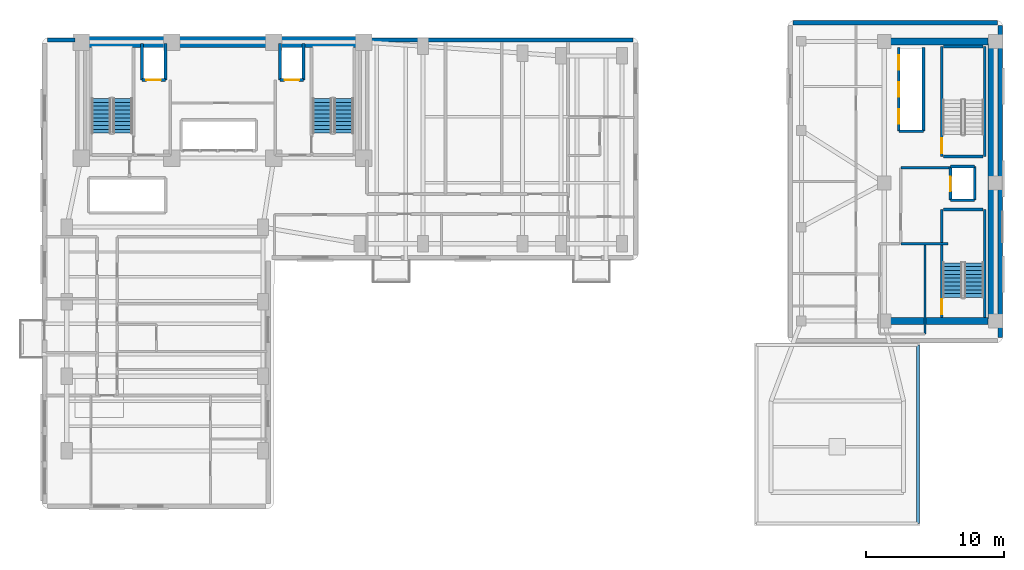
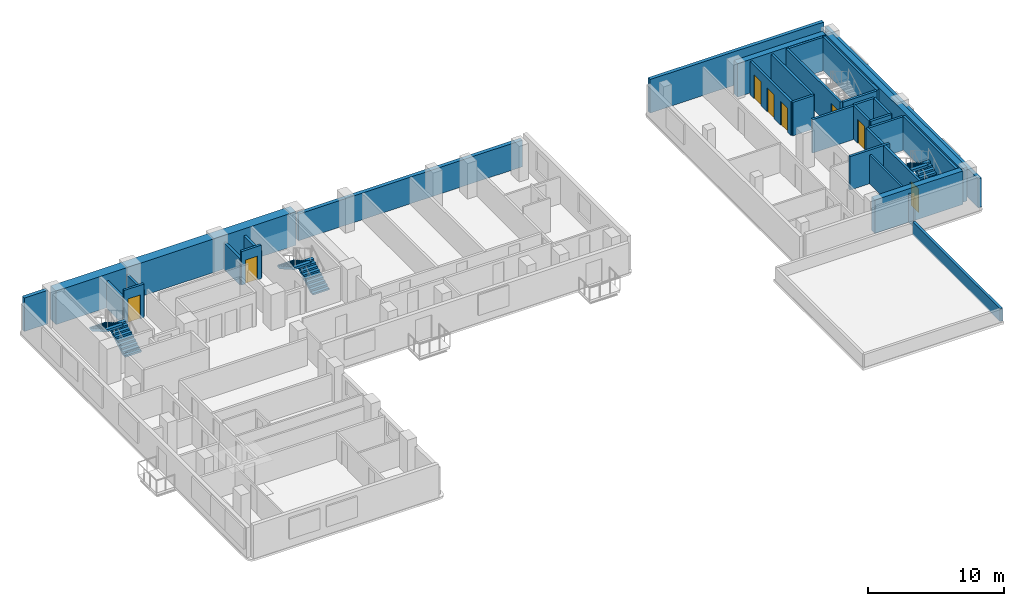
# One storey, part 6 of 11: 32 walls, 8 doors, 6 stair flights, 8 openings, 3 elements without a shape of their own.
"""IFC4 building model written with IfcOpenShell, lengths in metres."""

from ifc_helpers import new_model, si_unit, direction, frame, frame_2d, origin, place, context, subcontext, project, spatial, polyline, rectangle, outline, extrude, material, layer, layer_set, type_object, element, fill, aggregate, save


model = new_model("IFC4")

# Units and contexts
model_context = context("Model", 3, precision=1e-05, world=origin(), true_north=direction((0.0, 1.0)))
body_context = subcontext(model_context, "Body", "Model", "MODEL_VIEW")
ifc_project = project(units=[si_unit("LENGTHUNIT", "METRE"), si_unit("AREAUNIT", "SQUARE_METRE"), si_unit("VOLUMEUNIT", "CUBIC_METRE"), si_unit("PLANEANGLEUNIT", "RADIAN"), si_unit("MASSUNIT", "GRAM", prefix="KILO")], contexts=[model_context])

# Site, building, storey
site_placement = place(None, origin())
site = spatial("IfcSite", under=ifc_project, at=site_placement, CompositionType="ELEMENT")
building_placement = place(site_placement, origin())
building = spatial("IfcBuilding", under=site, at=building_placement, Name="Kuzgunbayir Cultural Tower", CompositionType="ELEMENT")
storey_placement = place(building_placement, frame((0.0, 0.0, 86.60009765625)))
storey = spatial("IfcBuildingStorey", under=building, at=storey_placement, Name="L24", CompositionType="ELEMENT", Elevation=86.60009765625)

# Walls
ifc_material_1 = material(Name="Concrete C60/75", Category="concrete")
ifc_layer_1 = layer(ifc_material_1, 0.800048828125)
ifc_layer_set_1 = layer_set([ifc_layer_1], Name="Concrete C60/75")
wall_type_1 = type_object("IfcWallType", Name="WAL-CORE-800", PredefinedType="SHEAR", material=ifc_layer_set_1)
wall_1_placement = place(storey_placement, frame((6.449951171875, 42.199951171875, 0.0), z_axis=(0.0, 0.0, 1.0), x_axis=(1.0, 0.0, 0.0)))
element("IfcWall", 1, at=wall_1_placement, inside=storey, type_object=wall_type_1, Name="L24 T1 Core North Shear Wall", PredefinedType="SHEAR", context=body_context, shape_type="SweptSolid", body=[
    extrude(rectangle(XDim=20.449951171875, YDim=0.800048828125, at=frame_2d((10.22509765625, 0.0))), origin(), (0.0, 0.0, 1.0), 3.02001953125),
])
ifc_material_2 = material(Name="Anatolian Cream Limestone", Category="masonry")
ifc_layer_2 = layer(ifc_material_2, 0.300048828125)
ifc_layer_set_2 = layer_set([ifc_layer_2], Name="Anatolian Cream Limestone")
wall_type_2 = type_object("IfcWallType", Name="WAL-EXT-STONE-300", PredefinedType="STANDARD", material=ifc_layer_set_2)
wall_2_placement = place(storey_placement, frame((73.0, 20.800048828125, 0.0), z_axis=(0.0, 0.0, 1.0), x_axis=(0.0, 1.0, 0.0)))
element("IfcWall", 2, at=wall_2_placement, inside=storey, type_object=wall_type_2, Name="L24 Companion East Limestone Wall", PredefinedType="STANDARD", context=body_context, shape_type="SweptSolid", body=[
    extrude(rectangle(XDim=22.599853515625, YDim=0.300048828125, at=frame_2d((11.2998046875, 0.0))), origin(), (0.0, 0.0, 1.0), 2.599853515625),
])
wall_3_placement = place(storey_placement, frame((72.800048828125, 43.60009765625, 0.0), z_axis=(0.0, 0.0, 1.0), x_axis=(-1.0, 0.0, 0.0)))
element("IfcWall", 3, at=wall_3_placement, inside=storey, type_object=wall_type_2, Name="L24 Companion North Limestone Wall", PredefinedType="STANDARD", context=body_context, shape_type="SweptSolid", body=[
    extrude(rectangle(XDim=14.800048828125, YDim=0.300048828125, at=frame_2d((7.39990234375, 0.0))), origin(), (0.0, 0.0, 1.0), 3.02001953125),
])
ifc_material_3 = material(Name="Travertine Buff Ashlar", Category="masonry")
ifc_layer_3 = layer(ifc_material_3, 0.320068359375)
ifc_layer_set_3 = layer_set([ifc_layer_3], Name="Travertine Buff Ashlar")
wall_type_3 = type_object("IfcWallType", Name="WAL-EXT-STONE-320", PredefinedType="STANDARD", material=ifc_layer_set_3)
wall_4_placement = place(storey_placement, frame((46.39990234375, 42.35009765625, 0.0), z_axis=(0.0, 0.0, 1.0), x_axis=(-1.0, 0.0, 0.0)))
element("IfcWall", 4, at=wall_4_placement, inside=storey, type_object=wall_type_3, Name="L24 North Wing B Limestone Wall", PredefinedType="STANDARD", context=body_context, shape_type="SweptSolid", body=[
    extrude(rectangle(XDim=19.0498046875, YDim=0.320068359375, at=frame_2d((9.52490234375, 0.0))), origin(), (0.0, 0.0, 1.0), 2.39990234375),
])
wall_5_placement = place(storey_placement, frame((6.0, 42.35009765625, 0.0), z_axis=(0.0, 0.0, 1.0), x_axis=(-1.0, 0.0, 0.0)))
element("IfcWall", 5, at=wall_5_placement, inside=storey, type_object=wall_type_3, Name="L24 Core North-West Spandrel Link", PredefinedType="STANDARD", context=body_context, shape_type="SweptSolid", body=[
    extrude(rectangle(XDim=2.0, YDim=0.320068359375, at=frame_2d((1.0, 0.0))), origin(), (0.0, 0.0, 1.0), 3.02001953125),
])
ifc_layer_4 = layer(ifc_material_3, 0.219970703125)
ifc_layer_set_4 = layer_set([ifc_layer_4], Name="Travertine Buff Ashlar")
wall_type_4 = type_object("IfcWallType", Name="WAL-PARAPET-STONE-220", PredefinedType="PARAPET", material=ifc_layer_set_4)
wall_6_placement = place(storey_placement, frame((67.050048828125, 7.35009765625, 0.0), z_axis=(0.0, 0.0, 1.0), x_axis=(0.0, 1.0, 0.0)))
element("IfcWall", 6, at=wall_6_placement, inside=storey, type_object=wall_type_4, Name="L24 Limestone Roof Parapet 2", PredefinedType="PARAPET", context=body_context, shape_type="SweptSolid", body=[
    extrude(rectangle(XDim=12.89990234375, YDim=0.219970703125, at=frame_2d((6.449951171875, 0.0))), origin(), (0.0, 0.0, 1.0), 1.14990234375),
])
ifc_material_4 = material(Name="Acoustic Double-Stud Drywall", Category="gypsum")
ifc_layer_5 = layer(ifc_material_4, 0.14990234375)
ifc_layer_set_5 = layer_set([ifc_layer_5], Name="Acoustic Double-Stud Drywall")
wall_type_5 = type_object("IfcWallType", Name="WAL-PART-ACOUSTIC-150", PredefinedType="PARTITIONING", material=ifc_layer_set_5)
wall_7_placement = place(storey_placement, frame((67.550048828125, 21.050048828125, 0.0), z_axis=(0.0, 0.0, 1.0), x_axis=(0.0, 1.0, 0.0)))
element("IfcWall", 7, at=wall_7_placement, inside=storey, type_object=wall_type_5, Name="L24 Companion Archive East Wall", PredefinedType="PARTITIONING", context=body_context, shape_type="SweptSolid", body=[
    extrude(rectangle(XDim=6.469970703125, YDim=0.14990234375, at=frame_2d((3.23486328125, 0.0))), origin(), (0.0, 0.0, 1.0), 2.599853515625),
])
ifc_material_5 = material(Name="Aerated Concrete Blockwork", Category="masonry")
ifc_layer_6 = layer(ifc_material_5, 0.199951171875)
ifc_layer_set_6 = layer_set([ifc_layer_6], Name="Aerated Concrete Blockwork")
wall_type_6 = type_object("IfcWallType", Name="WAL-PART-FIRE-200", PredefinedType="PARTITIONING", material=ifc_layer_set_6)
wall_8_placement = place(storey_placement, frame((65.800048828125, 33.10009765625, 0.0), z_axis=(0.0, 0.0, 1.0), x_axis=(1.0, 0.0, 0.0)))
element("IfcWall", 8, at=wall_8_placement, inside=storey, type_object=wall_type_6, Name="L24 FFL-3 Lobby North Fire Wall", PredefinedType="PARTITIONING", context=body_context, shape_type="SweptSolid", body=[
    extrude(rectangle(XDim=3.599853515625, YDim=0.199951171875, at=frame_2d((1.7998046875, 0.0))), origin(), (0.0, 0.0, 1.0), 3.02001953125),
])
wall_9_placement = place(storey_placement, frame((65.800048828125, 27.60009765625, 0.0), z_axis=(0.0, 0.0, 1.0), x_axis=(1.0, 0.0, 0.0)))
element("IfcWall", 9, at=wall_9_placement, inside=storey, type_object=wall_type_6, Name="L24 FFL-3 Lobby South Fire Wall", PredefinedType="PARTITIONING", context=body_context, shape_type="SweptSolid", body=[
    extrude(rectangle(XDim=3.39990234375, YDim=0.199951171875, at=frame_2d((1.699951171875, 0.0))), origin(), (0.0, 0.0, 1.0), 3.02001953125),
])

# Wall, opening, door
ifc_material_6 = material(Name="Concrete C40/50", Category="concrete")
ifc_layer_7 = layer(ifc_material_6, 0.199951171875)
ifc_layer_set_7 = layer_set([ifc_layer_7], Name="Concrete C40/50")
wall_type_7 = type_object("IfcWallType", Name="WAL-SHAFT-200", PredefinedType="MOVABLE", material=ifc_layer_set_7)
wall_10_placement = place(storey_placement, frame((10.85009765625, 39.449951171875, 0.0), z_axis=(0.0, 0.0, 1.0), x_axis=(1.0, 0.0, 0.0)))
wall_10 = element("IfcWall", 10, at=wall_10_placement, inside=storey, type_object=wall_type_7, Name="L24 FFL-1 Lift Front Wall", PredefinedType="MOVABLE", context=body_context, shape_type="SweptSolid", body=[
    extrude(rectangle(XDim=1.699951171875, YDim=0.199951171875, at=frame_2d((0.85009765625, 0.0))), origin(), (0.0, 0.0, 1.0), 3.02001953125),
])
opening_1_placement = place(wall_10_placement, frame((0.320068359375, 0.0, 0.0)))
opening_1 = element("IfcOpeningElement", 11, at=opening_1_placement, cuts=wall_10, Name="Opening LD", PredefinedType="OPENING", context=body_context, shape_type="SweptSolid", body=[
    extrude(rectangle(XDim=1.050048828125, YDim=2.14990234375, at=frame_2d((0.52490234375, 1.074951171875))), frame((0.0, 0.10986328125, 0.0), z_axis=(0.0, -1.0, 0.0), x_axis=(1.0, 0.0, 0.0)), (0.0, 0.0, 1.0), 0.219970703125),
])
ifc_material_7 = material(Name="Brushed Stainless Steel", Category="steel")
door_type_1 = type_object("IfcDoorType", Name="DR-LIFT-LANDING", OperationType="SLIDING_TO_LEFT", PredefinedType="DOOR", material=ifc_material_7)
door_1_placement = place(opening_1_placement, origin())
door_1 = element("IfcDoor", 12, at=door_1_placement, inside=storey, type_object=door_type_1, Name="L24 Lift FFL-1 Landing Door", OperationType="SLIDING_TO_LEFT", OverallHeight=2.14990234375, OverallWidth=1.050048828125, PredefinedType="DOOR", context=body_context, shape_type="SweptSolid", body=[
    extrude(rectangle(XDim=1.050048828125, YDim=2.14990234375, at=frame_2d((0.52490234375, 1.074951171875))), frame((0.0, 0.02490234375, 0.0), z_axis=(0.0, -1.0, 0.0), x_axis=(1.0, 0.0, 0.0)), (0.0, 0.0, 1.0), 0.050048828125),
])
fill(opening_1, door_1)

wall_11_placement = place(storey_placement, frame((20.85009765625, 39.449951171875, 0.0), z_axis=(0.0, 0.0, 1.0), x_axis=(1.0, 0.0, 0.0)))
wall_11 = element("IfcWall", 13, at=wall_11_placement, inside=storey, type_object=wall_type_7, Name="L24 FFL-2 Lift Front Wall", PredefinedType="MOVABLE", context=body_context, shape_type="SweptSolid", body=[
    extrude(rectangle(XDim=1.699951171875, YDim=0.199951171875, at=frame_2d((0.85009765625, 0.0))), origin(), (0.0, 0.0, 1.0), 3.02001953125),
])
opening_2_placement = place(wall_11_placement, frame((0.320068359375, 0.0, 0.0)))
opening_2 = element("IfcOpeningElement", 14, at=opening_2_placement, cuts=wall_11, Name="Opening LD", PredefinedType="OPENING", context=body_context, shape_type="SweptSolid", body=[
    extrude(rectangle(XDim=1.050048828125, YDim=2.14990234375, at=frame_2d((0.52490234375, 1.074951171875))), frame((0.0, 0.10986328125, 0.0), z_axis=(0.0, -1.0, 0.0), x_axis=(1.0, 0.0, 0.0)), (0.0, 0.0, 1.0), 0.219970703125),
])
door_2_placement = place(opening_2_placement, origin())
door_2 = element("IfcDoor", 15, at=door_2_placement, inside=storey, type_object=door_type_1, Name="L24 Lift FFL-2 Landing Door", OperationType="SLIDING_TO_LEFT", OverallHeight=2.14990234375, OverallWidth=1.050048828125, PredefinedType="DOOR", context=body_context, shape_type="SweptSolid", body=[
    extrude(rectangle(XDim=1.050048828125, YDim=2.14990234375, at=frame_2d((0.52490234375, 1.074951171875))), frame((0.0, 0.02490234375, 0.0), z_axis=(0.0, -1.0, 0.0), x_axis=(1.0, 0.0, 0.0)), (0.0, 0.0, 1.0), 0.050048828125),
])
fill(opening_2, door_2)

# Walls
for number, where, z_axis, x_axis, name in (
    (16, (10.85009765625, 39.449951171875, 0.0), (0.0, 0.0, 1.0), (0.0, 1.0, 0.0), "L24 FFL-1 Shaft West Wall"),
    (17, (12.550048828125, 39.449951171875, 0.0), (0.0, 0.0, 1.0), (0.0, 1.0, 0.0), "L24 FFL-1 Shaft East Wall"),
    (18, (20.85009765625, 39.449951171875, 0.0), (0.0, 0.0, 1.0), (0.0, 1.0, 0.0), "L24 FFL-2 Shaft West Wall"),
    (19, (22.550048828125, 39.449951171875, 0.0), (0.0, 0.0, 1.0), (0.0, 1.0, 0.0), "L24 FFL-2 Shaft East Wall"),
):
    element("IfcWall", number, at=place(storey_placement, frame(where, z_axis=z_axis, x_axis=x_axis)), inside=storey, type_object=wall_type_7, Name=name, PredefinedType="MOVABLE", context=body_context, shape_type="SweptSolid", body=[
        extrude(rectangle(XDim=2.650146484375, YDim=0.199951171875, at=frame_2d((1.3251953125, 0.0))), origin(), (0.0, 0.0, 1.0), 2.39990234375),
    ])

# Wall, openings, doors
wall_12_placement = place(storey_placement, frame((65.64990234375, 35.75, 0.0), z_axis=(0.0, 0.0, 1.0), x_axis=(0.0, 1.0, 0.0)))
wall_12 = element("IfcWall", 20, at=wall_12_placement, inside=storey, type_object=wall_type_7, Name="L24 Companion Lift Front Wall", PredefinedType="MOVABLE", context=body_context, shape_type="SweptSolid", body=[
    extrude(rectangle(XDim=6.050048828125, YDim=0.199951171875, at=frame_2d((3.02490234375, 0.0))), origin(), (0.0, 0.0, 1.0), 3.02001953125),
])
opening_3_placement = place(wall_12_placement, frame((0.52001953125, 0.0, 0.0)))
opening_3 = element("IfcOpeningElement", 21, at=opening_3_placement, cuts=wall_12, Name="Opening LD", PredefinedType="OPENING", context=body_context, shape_type="SweptSolid", body=[
    extrude(rectangle(XDim=1.050048828125, YDim=2.14990234375, at=frame_2d((0.52490234375, 1.074951171875))), frame((0.0, 0.10986328125, 0.0), z_axis=(0.0, -1.0, 0.0), x_axis=(1.0, 0.0, 0.0)), (0.0, 0.0, 1.0), 0.219970703125),
])
opening_4_placement = place(wall_12_placement, frame((2.47998046875, 0.0, 0.0)))
opening_4 = element("IfcOpeningElement", 22, at=opening_4_placement, cuts=wall_12, Name="Opening LD", PredefinedType="OPENING", context=body_context, shape_type="SweptSolid", body=[
    extrude(rectangle(XDim=1.050048828125, YDim=2.14990234375, at=frame_2d((0.52490234375, 1.074951171875))), frame((0.0, 0.10986328125, 0.0), z_axis=(0.0, -1.0, 0.0), x_axis=(1.0, 0.0, 0.0)), (0.0, 0.0, 1.0), 0.219970703125),
])
opening_5_placement = place(wall_12_placement, frame((4.429931640625, 0.0, 0.0)))
opening_5 = element("IfcOpeningElement", 23, at=opening_5_placement, cuts=wall_12, Name="Opening LD", PredefinedType="OPENING", context=body_context, shape_type="SweptSolid", body=[
    extrude(rectangle(XDim=1.050048828125, YDim=2.14990234375, at=frame_2d((0.52490234375, 1.074951171875))), frame((0.0, 0.10986328125, 0.0), z_axis=(0.0, -1.0, 0.0), x_axis=(1.0, 0.0, 0.0)), (0.0, 0.0, 1.0), 0.219970703125),
])
door_3_placement = place(opening_3_placement, origin())
door_3 = element("IfcDoor", 24, at=door_3_placement, inside=storey, type_object=door_type_1, Name="L24 Lift PC-1 Landing Door", OperationType="SLIDING_TO_LEFT", OverallHeight=2.14990234375, OverallWidth=1.050048828125, PredefinedType="DOOR", context=body_context, shape_type="SweptSolid", body=[
    extrude(rectangle(XDim=1.050048828125, YDim=2.14990234375, at=frame_2d((0.52490234375, 1.074951171875))), frame((0.0, 0.02490234375, 0.0), z_axis=(0.0, -1.0, 0.0), x_axis=(1.0, 0.0, 0.0)), (0.0, 0.0, 1.0), 0.050048828125),
])
fill(opening_3, door_3)
door_4_placement = place(opening_4_placement, origin())
door_4 = element("IfcDoor", 25, at=door_4_placement, inside=storey, type_object=door_type_1, Name="L24 Lift PC-2 Landing Door", OperationType="SLIDING_TO_LEFT", OverallHeight=2.14990234375, OverallWidth=1.050048828125, PredefinedType="DOOR", context=body_context, shape_type="SweptSolid", body=[
    extrude(rectangle(XDim=1.050048828125, YDim=2.14990234375, at=frame_2d((0.52490234375, 1.074951171875))), frame((0.0, 0.02490234375, 0.0), z_axis=(0.0, -1.0, 0.0), x_axis=(1.0, 0.0, 0.0)), (0.0, 0.0, 1.0), 0.050048828125),
])
fill(opening_4, door_4)
door_5_placement = place(opening_5_placement, origin())
door_5 = element("IfcDoor", 26, at=door_5_placement, inside=storey, type_object=door_type_1, Name="L24 Lift PC-3 Landing Door", OperationType="SLIDING_TO_LEFT", OverallHeight=2.14990234375, OverallWidth=1.050048828125, PredefinedType="DOOR", context=body_context, shape_type="SweptSolid", body=[
    extrude(rectangle(XDim=1.050048828125, YDim=2.14990234375, at=frame_2d((0.52490234375, 1.074951171875))), frame((0.0, 0.02490234375, 0.0), z_axis=(0.0, -1.0, 0.0), x_axis=(1.0, 0.0, 0.0)), (0.0, 0.0, 1.0), 0.050048828125),
])
fill(opening_5, door_5)

# Walls
wall_13_placement = place(storey_placement, frame((67.449951171875, 35.75, 0.0), z_axis=(0.0, 0.0, 1.0), x_axis=(0.0, 1.0, 0.0)))
element("IfcWall", 27, at=wall_13_placement, inside=storey, type_object=wall_type_7, Name="L24 Companion Lift Shaft Back Wall", PredefinedType="MOVABLE", context=body_context, shape_type="SweptSolid", body=[
    extrude(rectangle(XDim=6.050048828125, YDim=0.199951171875, at=frame_2d((3.02490234375, 0.0))), origin(), (0.0, 0.0, 1.0), 3.02001953125),
])
wall_14_placement = place(storey_placement, frame((65.64990234375, 35.75, 0.0), z_axis=(0.0, 0.0, 1.0), x_axis=(1.0, 0.0, 0.0)))
element("IfcWall", 28, at=wall_14_placement, inside=storey, type_object=wall_type_7, Name="L24 Companion Lift Shaft South Wall", PredefinedType="MOVABLE", context=body_context, shape_type="SweptSolid", body=[
    extrude(rectangle(XDim=1.800048828125, YDim=0.199951171875, at=frame_2d((0.89990234375, 0.0))), origin(), (0.0, 0.0, 1.0), 3.02001953125),
])

# Wall, opening, door
wall_15_placement = place(storey_placement, frame((69.39990234375, 30.75, 0.0), z_axis=(0.0, 0.0, 1.0), x_axis=(0.0, 1.0, 0.0)))
wall_15 = element("IfcWall", 29, at=wall_15_placement, inside=storey, type_object=wall_type_7, Name="L24 FFL-3 Lift Front Wall", PredefinedType="MOVABLE", context=body_context, shape_type="SweptSolid", body=[
    extrude(rectangle(XDim=2.449951171875, YDim=0.199951171875, at=frame_2d((1.22509765625, 0.0))), origin(), (0.0, 0.0, 1.0), 3.02001953125),
])
opening_6_placement = place(wall_15_placement, frame((0.64990234375, 0.0, 0.0)))
opening_6 = element("IfcOpeningElement", 30, at=opening_6_placement, cuts=wall_15, Name="Opening LD", PredefinedType="OPENING", context=body_context, shape_type="SweptSolid", body=[
    extrude(rectangle(XDim=1.050048828125, YDim=2.14990234375, at=frame_2d((0.52490234375, 1.074951171875))), frame((0.0, 0.10986328125, 0.0), z_axis=(0.0, -1.0, 0.0), x_axis=(1.0, 0.0, 0.0)), (0.0, 0.0, 1.0), 0.219970703125),
])
door_6_placement = place(opening_6_placement, origin())
door_6 = element("IfcDoor", 31, at=door_6_placement, inside=storey, type_object=door_type_1, Name="L24 Lift FFL-3 Landing Door", OperationType="SLIDING_TO_LEFT", OverallHeight=2.14990234375, OverallWidth=1.050048828125, PredefinedType="DOOR", context=body_context, shape_type="SweptSolid", body=[
    extrude(rectangle(XDim=1.050048828125, YDim=2.14990234375, at=frame_2d((0.52490234375, 1.074951171875))), frame((0.0, 0.02490234375, 0.0), z_axis=(0.0, -1.0, 0.0), x_axis=(1.0, 0.0, 0.0)), (0.0, 0.0, 1.0), 0.050048828125),
])
fill(opening_6, door_6)

# Walls
wall_16_placement = place(storey_placement, frame((71.14990234375, 30.75, 0.0), z_axis=(0.0, 0.0, 1.0), x_axis=(0.0, 1.0, 0.0)))
element("IfcWall", 32, at=wall_16_placement, inside=storey, type_object=wall_type_7, Name="L24 FFL-3 Shaft Back Wall", PredefinedType="MOVABLE", context=body_context, shape_type="SweptSolid", body=[
    extrude(rectangle(XDim=2.449951171875, YDim=0.199951171875, at=frame_2d((1.22509765625, 0.0))), origin(), (0.0, 0.0, 1.0), 3.02001953125),
])
for number, where, z_axis, x_axis, name in (
    (33, (69.39990234375, 33.199951171875, 0.0), (0.0, 0.0, 1.0), (1.0, 0.0, 0.0), "L24 FFL-3 Shaft North Wall"),
    (34, (69.39990234375, 30.75, 0.0), (0.0, 0.0, 1.0), (1.0, 0.0, 0.0), "L24 FFL-3 Shaft South Wall"),
):
    element("IfcWall", number, at=place(storey_placement, frame(where, z_axis=z_axis, x_axis=x_axis)), inside=storey, type_object=wall_type_7, Name=name, PredefinedType="MOVABLE", context=body_context, shape_type="SweptSolid", body=[
        extrude(rectangle(XDim=1.75, YDim=0.199951171875, at=frame_2d((0.875, 0.0))), origin(), (0.0, 0.0, 1.0), 3.02001953125),
    ])

# Wall, opening, door
ifc_layer_8 = layer(ifc_material_6, 0.199951171875)
ifc_layer_set_8 = layer_set([ifc_layer_8], Name="Concrete C40/50")
wall_type_8 = type_object("IfcWallType", Name="WAL-STAIR-RC-200", PredefinedType="SHEAR", material=ifc_layer_set_8)
wall_17_placement = place(storey_placement, frame((68.760009765625, 22.260009765625, 0.0), z_axis=(0.0, 0.0, 1.0), x_axis=(0.0, 1.0, 0.0)))
wall_17 = element("IfcWall", 35, at=wall_17_placement, inside=storey, type_object=wall_type_8, Name="L24 Stair ST-3 West Structural Wall", PredefinedType="SHEAR", context=body_context, shape_type="SweptSolid", body=[
    extrude(rectangle(XDim=7.820068359375, YDim=0.199951171875, at=frame_2d((3.91015625, 0.0))), origin(), (0.0, 0.0, 1.0), 3.02001953125),
])
opening_7_placement = place(wall_17_placement, frame((0.219970703125, 0.0, 0.0)))
opening_7 = element("IfcOpeningElement", 36, at=opening_7_placement, cuts=wall_17, Name="Opening DR-STAIR-90", PredefinedType="OPENING", context=body_context, shape_type="SweptSolid", body=[
    extrude(rectangle(XDim=1.10009765625, YDim=2.14990234375, at=frame_2d((0.550048828125, 1.074951171875))), frame((0.0, 0.10986328125, 0.0), z_axis=(0.0, -1.0, 0.0), x_axis=(1.0, 0.0, 0.0)), (0.0, 0.0, 1.0), 0.219970703125),
])
ifc_material_8 = material(Name="Steel S355J2", Category="steel")
door_type_2 = type_object("IfcDoorType", Name="DR-STAIR-90", OperationType="NOTDEFINED", PredefinedType="DOOR", material=ifc_material_8)
door_7_placement = place(opening_7_placement, origin())
door_7 = element("IfcDoor", 37, at=door_7_placement, inside=storey, type_object=door_type_2, Name="L24 Stair ST-3 Fire Door", OperationType="SINGLE_SWING_RIGHT", OverallHeight=2.14990234375, OverallWidth=1.10009765625, PredefinedType="DOOR", context=body_context, shape_type="SweptSolid", body=[
    extrude(rectangle(XDim=1.10009765625, YDim=2.14990234375, at=frame_2d((0.550048828125, 1.074951171875))), frame((0.0, 0.02490234375, 0.0), z_axis=(0.0, -1.0, 0.0), x_axis=(1.0, 0.0, 0.0)), (0.0, 0.0, 1.0), 0.050048828125),
])
fill(opening_7, door_7)

# Walls
wall_18_placement = place(storey_placement, frame((71.8798828125, 22.260009765625, 0.0), z_axis=(0.0, 0.0, 1.0), x_axis=(0.0, 1.0, 0.0)))
element("IfcWall", 38, at=wall_18_placement, inside=storey, type_object=wall_type_8, Name="L24 Stair ST-3 East Structural Wall", PredefinedType="SHEAR", context=body_context, shape_type="SweptSolid", body=[
    extrude(rectangle(XDim=7.820068359375, YDim=0.199951171875, at=frame_2d((3.91015625, 0.0))), origin(), (0.0, 0.0, 1.0), 3.02001953125),
])
wall_19_placement = place(storey_placement, frame((68.8798828125, 30.080078125, 0.0), z_axis=(0.0, 0.0, 1.0), x_axis=(1.0, 0.0, 0.0)))
element("IfcWall", 39, at=wall_19_placement, inside=storey, type_object=wall_type_8, Name="L24 Stair ST-3 North Structural Wall", PredefinedType="SHEAR", context=body_context, shape_type="SweptSolid", body=[
    extrude(rectangle(XDim=2.880126953125, YDim=0.199951171875, at=frame_2d((1.43994140625, 0.0))), origin(), (0.0, 0.0, 1.0), 3.02001953125),
])

# Wall, opening, door
wall_20_placement = place(storey_placement, frame((68.760009765625, 33.919921875, 0.0), z_axis=(0.0, 0.0, 1.0), x_axis=(0.0, 1.0, 0.0)))
wall_20 = element("IfcWall", 40, at=wall_20_placement, inside=storey, type_object=wall_type_8, Name="L24 Stair ST-4 West Structural Wall", PredefinedType="SHEAR", context=body_context, shape_type="SweptSolid", body=[
    extrude(rectangle(XDim=7.9599609375, YDim=0.199951171875, at=frame_2d((3.97998046875, 0.0))), origin(), (0.0, 0.0, 1.0), 3.02001953125),
])
opening_8_placement = place(wall_20_placement, frame((0.219970703125, 0.0, 0.0)))
opening_8 = element("IfcOpeningElement", 41, at=opening_8_placement, cuts=wall_20, Name="Opening DR-STAIR-90", PredefinedType="OPENING", context=body_context, shape_type="SweptSolid", body=[
    extrude(rectangle(XDim=1.10009765625, YDim=2.14990234375, at=frame_2d((0.550048828125, 1.074951171875))), frame((0.0, 0.10986328125, 0.0), z_axis=(0.0, -1.0, 0.0), x_axis=(1.0, 0.0, 0.0)), (0.0, 0.0, 1.0), 0.219970703125),
])
door_8_placement = place(opening_8_placement, origin())
door_8 = element("IfcDoor", 42, at=door_8_placement, inside=storey, type_object=door_type_2, Name="L24 Stair ST-4 Fire Door", OperationType="SINGLE_SWING_LEFT", OverallHeight=2.14990234375, OverallWidth=1.10009765625, PredefinedType="DOOR", context=body_context, shape_type="SweptSolid", body=[
    extrude(rectangle(XDim=1.10009765625, YDim=2.14990234375, at=frame_2d((0.550048828125, 1.074951171875))), frame((0.0, 0.02490234375, 0.0), z_axis=(0.0, -1.0, 0.0), x_axis=(1.0, 0.0, 0.0)), (0.0, 0.0, 1.0), 0.050048828125),
])
fill(opening_8, door_8)

# Walls
wall_21_placement = place(storey_placement, frame((71.8798828125, 33.919921875, 0.0), z_axis=(0.0, 0.0, 1.0), x_axis=(0.0, 1.0, 0.0)))
element("IfcWall", 43, at=wall_21_placement, inside=storey, type_object=wall_type_8, Name="L24 Stair ST-4 East Structural Wall", PredefinedType="SHEAR", context=body_context, shape_type="SweptSolid", body=[
    extrude(rectangle(XDim=7.9599609375, YDim=0.199951171875, at=frame_2d((3.97998046875, 0.0))), origin(), (0.0, 0.0, 1.0), 3.02001953125),
])
for number, where, z_axis, x_axis, name in (
    (44, (68.8798828125, 41.8798828125, 0.0), (0.0, 0.0, 1.0), (1.0, 0.0, 0.0), "L24 Stair ST-4 North Structural Wall"),
    (45, (68.8798828125, 33.919921875, 0.0), (0.0, 0.0, 1.0), (1.0, 0.0, 0.0), "L24 Stair ST-4 South Structural Wall"),
):
    element("IfcWall", number, at=place(storey_placement, frame(where, z_axis=z_axis, x_axis=x_axis)), inside=storey, type_object=wall_type_8, Name=name, PredefinedType="SHEAR", context=body_context, shape_type="SweptSolid", body=[
        extrude(rectangle(XDim=2.880126953125, YDim=0.199951171875, at=frame_2d((1.43994140625, 0.0))), origin(), (0.0, 0.0, 1.0), 3.02001953125),
    ])
ifc_layer_9 = layer(ifc_material_1, 0.5)
ifc_layer_set_9 = layer_set([ifc_layer_9], Name="Concrete C60/75")
wall_type_9 = type_object("IfcWallType", Name="WAL-T2-CORE-500", PredefinedType="SHEAR", material=ifc_layer_set_9)
wall_22_placement = place(storey_placement, frame((72.35009765625, 22.0, 0.0), z_axis=(0.0, 0.0, 1.0), x_axis=(0.0, 1.0, 0.0)))
element("IfcWall", 46, at=wall_22_placement, inside=storey, type_object=wall_type_9, Name="L24 Companion Core East Shear Wall", PredefinedType="SHEAR", context=body_context, shape_type="SweptSolid", body=[
    extrude(rectangle(XDim=20.25, YDim=0.5, at=frame_2d((10.125, 0.0))), origin(), (0.0, 0.0, 1.0), 3.02001953125),
])
for number, where, z_axis, x_axis, name in (
    (47, (64.60009765625, 42.25, 0.0), (0.0, 0.0, 1.0), (1.0, 0.0, 0.0), "L24 Companion Core North Shear Wall"),
    (48, (64.60009765625, 22.0, 0.0), (0.0, 0.0, 1.0), (1.0, 0.0, 0.0), "L24 Companion Core South Shear Wall"),
):
    element("IfcWall", number, at=place(storey_placement, frame(where, z_axis=z_axis, x_axis=x_axis)), inside=storey, type_object=wall_type_9, Name=name, PredefinedType="SHEAR", context=body_context, shape_type="SweptSolid", body=[
        extrude(rectangle(XDim=7.5, YDim=0.5, at=frame_2d((3.75, 0.0))), origin(), (0.0, 0.0, 1.0), 3.02001953125),
    ])

# Stair, stair flights
stair_type = type_object("IfcStairType", Name="STR-EXIT-CORE", PredefinedType="HALF_TURN_STAIR", material=ifc_material_6)
stair_1_placement = place(storey_placement, origin())
stair_1 = element("IfcStair", 49, at=stair_1_placement, inside=storey, type_object=stair_type, Name="L24 ST-1", PredefinedType="HALF_TURN_STAIR")
stair_flight_type = type_object("IfcStairFlightType", Name="STRF-RC-140", PredefinedType="STRAIGHT", material=ifc_material_6)
stair_flight_1_placement = place(storey_placement, frame((9.4599609375, 35.60009765625, 0.0), z_axis=(0.0, 0.0, 1.0), x_axis=(0.0, 1.0, 0.0)))
stair_flight_1 = element("IfcStairFlight", 50, at=stair_flight_1_placement, type_object=stair_flight_type, Name="ST-1 flight 1", NumberOfRisers=10, NumberOfTreads=9, PredefinedType="STRAIGHT", RiserHeight=0.16, TreadLength=0.28, context=body_context, shape_type="SweptSolid", body=[
    extrude(outline(polyline([(0.0, 0.0), (0.0, 0.159912109375), (0.280029296875, 0.159912109375), (0.280029296875, 0.320068359375), (0.56005859375, 0.320068359375), (0.56005859375, 0.47998046875), (0.840087890625, 0.47998046875), (0.840087890625, 0.639892578125), (1.1201171875, 0.639892578125), (1.1201171875, 0.800048828125), (1.39990234375, 0.800048828125), (1.39990234375, 0.9599609375), (1.679931640625, 0.9599609375), (1.679931640625, 1.1201171875), (1.9599609375, 1.1201171875), (1.9599609375, 1.280029296875), (2.239990234375, 1.280029296875), (2.239990234375, 1.43994140625), (2.52001953125, 1.43994140625), (2.52001953125, 1.60009765625), (2.52001953125, 1.232666015625), (0.362548828125, 0.0), (0.0, 0.0)])), frame((0.0, 0.699951171875, 0.0), z_axis=(0.0, -1.0, 0.0), x_axis=(1.0, 0.0, 0.0)), (0.0, 0.0, 1.0), 1.39990234375),
])
stair_flight_2_placement = place(storey_placement, frame((7.89990234375, 38.1201171875, 1.599853515625), z_axis=(0.0, 0.0, 1.0), x_axis=(0.0, -1.0, 0.0)))
stair_flight_2 = element("IfcStairFlight", 51, at=stair_flight_2_placement, type_object=stair_flight_type, Name="ST-1 flight 2", NumberOfRisers=10, NumberOfTreads=9, PredefinedType="STRAIGHT", RiserHeight=0.16, TreadLength=0.28, context=body_context, shape_type="SweptSolid", body=[
    extrude(outline(polyline([(0.0, 0.0), (0.0, 0.159912109375), (0.280029296875, 0.159912109375), (0.280029296875, 0.320068359375), (0.56005859375, 0.320068359375), (0.56005859375, 0.47998046875), (0.840087890625, 0.47998046875), (0.840087890625, 0.639892578125), (1.1201171875, 0.639892578125), (1.1201171875, 0.800048828125), (1.39990234375, 0.800048828125), (1.39990234375, 0.9599609375), (1.679931640625, 0.9599609375), (1.679931640625, 1.1201171875), (1.9599609375, 1.1201171875), (1.9599609375, 1.280029296875), (2.239990234375, 1.280029296875), (2.239990234375, 1.43994140625), (2.52001953125, 1.43994140625), (2.52001953125, 1.60009765625), (2.52001953125, 1.232666015625), (0.362548828125, 0.0), (0.0, 0.0)])), frame((0.0, 0.699951171875, 0.0), z_axis=(0.0, -1.0, 0.0), x_axis=(1.0, 0.0, 0.0)), (0.0, 0.0, 1.0), 1.39990234375),
])
aggregate(stair_1, [stair_flight_1, stair_flight_2])

stair_2_placement = place(storey_placement, origin())
stair_2 = element("IfcStair", 52, at=stair_2_placement, inside=storey, type_object=stair_type, Name="L24 ST-2", PredefinedType="HALF_TURN_STAIR")
stair_flight_3_placement = place(storey_placement, frame((25.4599609375, 35.60009765625, 0.0), z_axis=(0.0, 0.0, 1.0), x_axis=(0.0, 1.0, 0.0)))
stair_flight_3 = element("IfcStairFlight", 53, at=stair_flight_3_placement, type_object=stair_flight_type, Name="ST-2 flight 1", NumberOfRisers=10, NumberOfTreads=9, PredefinedType="STRAIGHT", RiserHeight=0.16, TreadLength=0.28, context=body_context, shape_type="SweptSolid", body=[
    extrude(outline(polyline([(0.0, 0.0), (0.0, 0.159912109375), (0.280029296875, 0.159912109375), (0.280029296875, 0.320068359375), (0.56005859375, 0.320068359375), (0.56005859375, 0.47998046875), (0.840087890625, 0.47998046875), (0.840087890625, 0.639892578125), (1.1201171875, 0.639892578125), (1.1201171875, 0.800048828125), (1.39990234375, 0.800048828125), (1.39990234375, 0.9599609375), (1.679931640625, 0.9599609375), (1.679931640625, 1.1201171875), (1.9599609375, 1.1201171875), (1.9599609375, 1.280029296875), (2.239990234375, 1.280029296875), (2.239990234375, 1.43994140625), (2.52001953125, 1.43994140625), (2.52001953125, 1.60009765625), (2.52001953125, 1.232666015625), (0.362548828125, 0.0), (0.0, 0.0)])), frame((0.0, 0.699951171875, 0.0), z_axis=(0.0, -1.0, 0.0), x_axis=(1.0, 0.0, 0.0)), (0.0, 0.0, 1.0), 1.39990234375),
])
stair_flight_4_placement = place(storey_placement, frame((23.89990234375, 38.1201171875, 1.599853515625), z_axis=(0.0, 0.0, 1.0), x_axis=(0.0, -1.0, 0.0)))
stair_flight_4 = element("IfcStairFlight", 54, at=stair_flight_4_placement, type_object=stair_flight_type, Name="ST-2 flight 2", NumberOfRisers=10, NumberOfTreads=9, PredefinedType="STRAIGHT", RiserHeight=0.16, TreadLength=0.28, context=body_context, shape_type="SweptSolid", body=[
    extrude(outline(polyline([(0.0, 0.0), (0.0, 0.159912109375), (0.280029296875, 0.159912109375), (0.280029296875, 0.320068359375), (0.56005859375, 0.320068359375), (0.56005859375, 0.47998046875), (0.840087890625, 0.47998046875), (0.840087890625, 0.639892578125), (1.1201171875, 0.639892578125), (1.1201171875, 0.800048828125), (1.39990234375, 0.800048828125), (1.39990234375, 0.9599609375), (1.679931640625, 0.9599609375), (1.679931640625, 1.1201171875), (1.9599609375, 1.1201171875), (1.9599609375, 1.280029296875), (2.239990234375, 1.280029296875), (2.239990234375, 1.43994140625), (2.52001953125, 1.43994140625), (2.52001953125, 1.60009765625), (2.52001953125, 1.232666015625), (0.362548828125, 0.0), (0.0, 0.0)])), frame((0.0, 0.699951171875, 0.0), z_axis=(0.0, -1.0, 0.0), x_axis=(1.0, 0.0, 0.0)), (0.0, 0.0, 1.0), 1.39990234375),
])
aggregate(stair_2, [stair_flight_3, stair_flight_4])

stair_3_placement = place(storey_placement, origin())
stair_3 = element("IfcStair", 55, at=stair_3_placement, inside=storey, type_object=stair_type, Name="L24 ST-3", PredefinedType="HALF_TURN_STAIR")
stair_flight_5_placement = place(storey_placement, frame((71.10009765625, 23.699951171875, 0.0), z_axis=(0.0, 0.0, 1.0), x_axis=(0.0, 1.0, 0.0)))
stair_flight_5 = element("IfcStairFlight", 56, at=stair_flight_5_placement, type_object=stair_flight_type, Name="ST-3 flight 1", NumberOfRisers=10, NumberOfTreads=9, PredefinedType="STRAIGHT", RiserHeight=0.16, TreadLength=0.28, context=body_context, shape_type="SweptSolid", body=[
    extrude(outline(polyline([(0.0, 0.0), (0.0, 0.159912109375), (0.280029296875, 0.159912109375), (0.280029296875, 0.320068359375), (0.56005859375, 0.320068359375), (0.56005859375, 0.47998046875), (0.840087890625, 0.47998046875), (0.840087890625, 0.639892578125), (1.1201171875, 0.639892578125), (1.1201171875, 0.800048828125), (1.39990234375, 0.800048828125), (1.39990234375, 0.9599609375), (1.679931640625, 0.9599609375), (1.679931640625, 1.1201171875), (1.9599609375, 1.1201171875), (1.9599609375, 1.280029296875), (2.239990234375, 1.280029296875), (2.239990234375, 1.43994140625), (2.52001953125, 1.43994140625), (2.52001953125, 1.60009765625), (2.52001953125, 1.232666015625), (0.362548828125, 0.0), (0.0, 0.0)])), frame((0.0, 0.699951171875, 0.0), z_axis=(0.0, -1.0, 0.0), x_axis=(1.0, 0.0, 0.0)), (0.0, 0.0, 1.0), 1.39990234375),
])
stair_flight_6_placement = place(storey_placement, frame((69.5400390625, 26.219970703125, 1.599853515625), z_axis=(0.0, 0.0, 1.0), x_axis=(0.0, -1.0, 0.0)))
stair_flight_6 = element("IfcStairFlight", 57, at=stair_flight_6_placement, type_object=stair_flight_type, Name="ST-3 flight 2", NumberOfRisers=10, NumberOfTreads=9, PredefinedType="STRAIGHT", RiserHeight=0.16, TreadLength=0.28, context=body_context, shape_type="SweptSolid", body=[
    extrude(outline(polyline([(0.0, 0.0), (0.0, 0.159912109375), (0.280029296875, 0.159912109375), (0.280029296875, 0.320068359375), (0.56005859375, 0.320068359375), (0.56005859375, 0.47998046875), (0.840087890625, 0.47998046875), (0.840087890625, 0.639892578125), (1.1201171875, 0.639892578125), (1.1201171875, 0.800048828125), (1.39990234375, 0.800048828125), (1.39990234375, 0.9599609375), (1.679931640625, 0.9599609375), (1.679931640625, 1.1201171875), (1.9599609375, 1.1201171875), (1.9599609375, 1.280029296875), (2.239990234375, 1.280029296875), (2.239990234375, 1.43994140625), (2.52001953125, 1.43994140625), (2.52001953125, 1.60009765625), (2.52001953125, 1.232666015625), (0.362548828125, 0.0), (0.0, 0.0)])), frame((0.0, 0.699951171875, 0.0), z_axis=(0.0, -1.0, 0.0), x_axis=(1.0, 0.0, 0.0)), (0.0, 0.0, 1.0), 1.39990234375),
])
aggregate(stair_3, [stair_flight_5, stair_flight_6])

save(model, "model.ifc")
